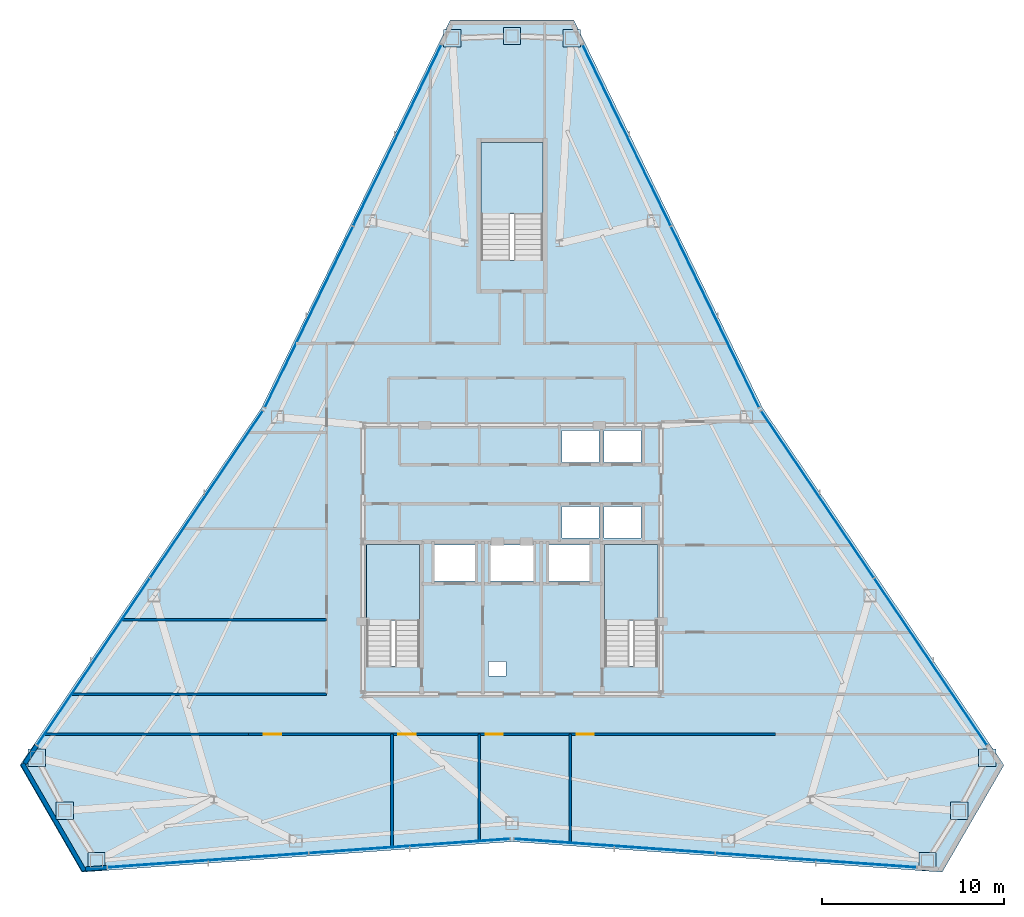
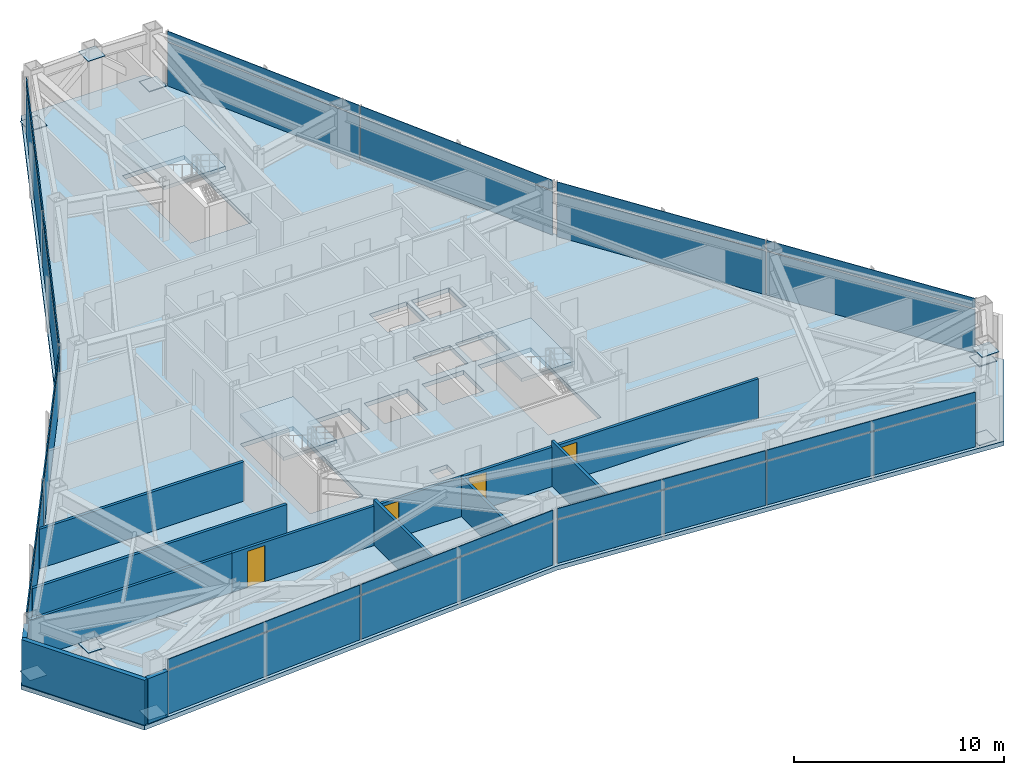
# One storey, part 8 of 12: 33 plates, 10 walls, 4 doors, 4 slabs, 4 openings, 9 elements without a shape of their own.
"""IFC4 building model written with IfcOpenShell, lengths in metres."""

from ifc_helpers import new_model, si_unit, direction, frame, frame_2d, origin, origin_2d, place, context, subcontext, project, spatial, polyline, rectangle, outline, extrude, source, transform, mapped, material, layer, layer_set, type_object, type_shapes, element, fill, aggregate, save


model = new_model("IFC4")

# Units and contexts
model_context = context("Model", 3, precision=1e-05, world=origin(), true_north=direction((0.0, 1.0)))
body_context = subcontext(model_context, "Body", "Model", "MODEL_VIEW")
ifc_project = project(units=[si_unit("LENGTHUNIT", "METRE"), si_unit("AREAUNIT", "SQUARE_METRE"), si_unit("VOLUMEUNIT", "CUBIC_METRE"), si_unit("PLANEANGLEUNIT", "RADIAN"), si_unit("MASSUNIT", "GRAM", prefix="KILO")], contexts=[model_context])

# Site, building, storey
site_placement = place(None, origin())
site = spatial("IfcSite", under=ifc_project, at=site_placement, CompositionType="ELEMENT")
building_placement = place(site_placement, origin())
building = spatial("IfcBuilding", under=site, at=building_placement, Name="Varakhsha Concourse Tower", CompositionType="ELEMENT")
storey_placement = place(building_placement, frame((0.0, 0.0, 204.89990234375)))
storey = spatial("IfcBuildingStorey", under=building, at=storey_placement, Name="L58", CompositionType="ELEMENT", Elevation=204.89990234375)

# Slab
ifc_material_1 = material(Name="Concrete fc 45 MPa", Category="concrete")
ifc_layer_1 = layer(ifc_material_1, 0.25, Name="SL-FLR-250")
ifc_layer_set_1 = layer_set([ifc_layer_1], Name="Concrete fc 45 MPa")
slab_type_1 = type_object("IfcSlabType", Name="SL-FLR-250", PredefinedType="FLOOR", material=ifc_layer_set_1)
slab_1_placement = place(storey_placement, frame((0.0, 0.0, -0.25)))
element("IfcSlab", 1, at=slab_1_placement, inside=storey, type_object=slab_type_1, Name="L58 Composite Structural Slab", PredefinedType="FLOOR", context=body_context, shape_type="SweptSolid", body=[
    extrude(outline(polyline([(43.39990234375, 53.497802734375), (36.60009765625, 53.497802734375), (26.21728515625, 32.157470703125), (12.927490234375, 12.49560546875), (16.327392578125, 6.606689453125), (40.0, 8.28515625), (63.672607421875, 6.606689453125), (67.072509765625, 12.49560546875), (53.78271484375, 32.157470703125), (43.39990234375, 53.497802734375)]), holes=[polyline([(34.919921875, 17.93994140625), (34.919921875, 24.6298828125), (32.0, 24.6298828125), (32.0, 17.93994140625), (34.919921875, 17.93994140625)]), polyline([(48.02001953125, 17.93994140625), (48.02001953125, 24.6298828125), (45.10009765625, 24.6298828125), (45.10009765625, 17.93994140625), (48.02001953125, 17.93994140625)]), polyline([(41.699951171875, 40.300048828125), (41.699951171875, 46.75), (38.300048828125, 46.75), (38.300048828125, 40.300048828125), (41.699951171875, 40.300048828125)]), polyline([(42.739990234375, 29.159912109375), (44.780029296875, 29.159912109375), (44.780029296875, 30.89990234375), (42.739990234375, 30.89990234375), (42.739990234375, 29.159912109375)]), polyline([(45.06005859375, 29.159912109375), (47.10009765625, 29.159912109375), (47.10009765625, 30.89990234375), (45.06005859375, 30.89990234375), (45.06005859375, 29.159912109375)]), polyline([(42.739990234375, 25.0), (44.780029296875, 25.0), (44.780029296875, 26.739990234375), (42.739990234375, 26.739990234375), (42.739990234375, 25.0)]), polyline([(45.06005859375, 25.0), (47.10009765625, 25.0), (47.10009765625, 26.739990234375), (45.06005859375, 26.739990234375), (45.06005859375, 25.0)]), polyline([(35.7099609375, 22.639892578125), (37.989990234375, 22.639892578125), (37.989990234375, 24.60009765625), (35.7099609375, 24.60009765625), (35.7099609375, 22.639892578125)]), polyline([(42.010009765625, 22.639892578125), (44.2900390625, 22.639892578125), (44.2900390625, 24.60009765625), (42.010009765625, 24.60009765625), (42.010009765625, 22.639892578125)]), polyline([(38.81005859375, 22.639892578125), (41.18994140625, 22.639892578125), (41.18994140625, 24.60009765625), (38.81005859375, 24.60009765625), (38.81005859375, 22.639892578125)]), polyline([(38.719970703125, 17.39990234375), (39.679931640625, 17.39990234375), (39.679931640625, 18.199951171875), (38.719970703125, 18.199951171875), (38.719970703125, 17.39990234375)])]), origin(), (0.0, 0.0, 1.0), 0.25),
])

# Stair, slab
stair_type_1 = type_object("IfcStairType", Name="ST-DOGLEG-1360", PredefinedType="HALF_TURN_STAIR", material=ifc_material_1)
stair_1_placement = place(storey_placement, origin())
stair_1 = element("IfcStair", 2, at=stair_1_placement, inside=storey, type_object=stair_type_1, Name="L58 Protected Exit Stair ST1", PredefinedType="HALF_TURN_STAIR")
ifc_layer_2 = layer(ifc_material_1, 0.199951171875, Name="SL-LAND-200")
ifc_layer_set_2 = layer_set([ifc_layer_2], Name="Concrete fc 45 MPa")
slab_type_2 = type_object("IfcSlabType", Name="SL-LAND-200", PredefinedType="LANDING", material=ifc_layer_set_2)
slab_2_placement = place(storey_placement, frame((0.0, 0.0, 1.550048828125)))
slab_2 = element("IfcSlab", 3, at=slab_2_placement, type_object=slab_type_2, Name="ST1 landing 1", PredefinedType="LANDING", context=body_context, shape_type="SweptSolid", body=[
    extrude(outline(polyline([(34.919921875, 20.4599609375), (34.919921875, 24.6298828125), (32.0, 24.6298828125), (32.0, 20.4599609375), (34.919921875, 20.4599609375)])), origin(), (0.0, 0.0, 1.0), 0.199951171875),
])
aggregate(stair_1, [slab_2])

stair_2_placement = place(storey_placement, origin())
stair_2 = element("IfcStair", 4, at=stair_2_placement, inside=storey, type_object=stair_type_1, Name="L58 Protected Exit Stair ST2", PredefinedType="HALF_TURN_STAIR")
slab_3_placement = place(storey_placement, frame((0.0, 0.0, 1.550048828125)))
slab_3 = element("IfcSlab", 5, at=slab_3_placement, type_object=slab_type_2, Name="ST2 landing 1", PredefinedType="LANDING", context=body_context, shape_type="SweptSolid", body=[
    extrude(outline(polyline([(48.02001953125, 20.4599609375), (48.02001953125, 24.6298828125), (45.10009765625, 24.6298828125), (45.10009765625, 20.4599609375), (48.02001953125, 20.4599609375)])), origin(), (0.0, 0.0, 1.0), 0.199951171875),
])
aggregate(stair_2, [slab_3])

stair_type_2 = type_object("IfcStairType", Name="ST-DOGLEG-1600", PredefinedType="HALF_TURN_STAIR", material=ifc_material_1)
stair_3_placement = place(storey_placement, origin())
stair_3 = element("IfcStair", 6, at=stair_3_placement, inside=storey, type_object=stair_type_2, Name="L58 Protected Exit Stair ST5", PredefinedType="HALF_TURN_STAIR")
slab_4_placement = place(storey_placement, frame((0.0, 0.0, 1.550048828125)))
slab_4 = element("IfcSlab", 7, at=slab_4_placement, type_object=slab_type_2, Name="ST5 landing 1", PredefinedType="LANDING", context=body_context, shape_type="SweptSolid", body=[
    extrude(outline(polyline([(41.699951171875, 42.820068359375), (41.699951171875, 46.75), (38.300048828125, 46.75), (38.300048828125, 42.820068359375), (41.699951171875, 42.820068359375)])), origin(), (0.0, 0.0, 1.0), 0.199951171875),
])
aggregate(stair_3, [slab_4])

# Plates
ifc_material_2 = material(Name="Structural Steel ASTM A572 Grade 50", Category="steel")
ifc_layer_3 = layer(ifc_material_2, 0.030029296875, Name="PL-ENDCAP-950")
ifc_layer_set_3 = layer_set([ifc_layer_3], Name="Structural Steel ASTM A572 Grade 50")
plate_type_1 = type_object("IfcPlateType", Name="PL-ENDCAP-950", PredefinedType="USERDEFINED", material=ifc_layer_set_3)
shared_shape_1 = source(origin(), body_context, "Body", "SweptSolid", [
    extrude(rectangle(XDim=0.949951171875, YDim=0.949951171875, at=origin_2d()), origin(), (0.0, 0.0, 1.0), 0.030029296875),
])
type_shapes(plate_type_1, [shared_shape_1])
for number, where, z_axis, x_axis, name in (
    (8, (43.283203125, 52.492431640625, 0.10498046875), (0.0, 0.0, 1.0), (1.0, 0.0, 0.0), "Hollow Section End Cap GP-NODE-L58-0595"),
    (9, (40.0, 52.61767578125, 2.93505859375), (0.0, 0.0, 1.0), (1.0, 0.0, 0.0), "Hollow Section End Cap GP-NODE-L58-0596"),
    (10, (36.716796875, 52.492431640625, 0.10498046875), (0.0, 0.0, 1.0), (1.0, 0.0, 0.0), "Hollow Section End Cap GP-NODE-L58-0597"),
    (11, (13.856201171875, 12.897216796875, 0.10498046875), (0.0, 0.0, 1.0), (1.0, 0.0, 0.0), "Hollow Section End Cap GP-NODE-L58-0598"),
    (12, (15.389404296875, 9.9912109375, 2.93505859375), (0.0, 0.0, 1.0), (1.0, 0.0, 0.0), "Hollow Section End Cap GP-NODE-L58-0599"),
    (13, (17.1396484375, 7.210205078125, 0.10498046875), (0.0, 0.0, 1.0), (1.0, 0.0, 0.0), "Hollow Section End Cap GP-NODE-L58-0600"),
    (14, (62.8603515625, 7.210205078125, 0.10498046875), (0.0, 0.0, 1.0), (1.0, 0.0, 0.0), "Hollow Section End Cap GP-NODE-L58-0601"),
    (15, (64.610595703125, 9.9912109375, 2.93505859375), (0.0, 0.0, 1.0), (1.0, 0.0, 0.0), "Hollow Section End Cap GP-NODE-L58-0602"),
    (16, (66.143798828125, 12.897216796875, 0.10498046875), (0.0, 0.0, 1.0), (1.0, 0.0, 0.0), "Hollow Section End Cap GP-NODE-L58-0603"),
):
    element("IfcPlate", number, at=place(storey_placement, frame(where, z_axis=z_axis, x_axis=x_axis)), inside=storey, type_object=plate_type_1, Name=name, ObjectType="END PLATE", PredefinedType="USERDEFINED", context=body_context, shape_type="MappedRepresentation", body=[
        mapped(shared_shape_1, transform((0.0, 0.0, 0.0), scale=1.0)),
    ])

# Curtain wall, plate
ifc_material_3 = material(Name="Anodised Bronze Architectural Aluminium AA 6063-T6", Category="aluminium")
ifc_layer_4 = layer(ifc_material_3, 0.199951171875, Name="CW-SYS-05")
ifc_layer_set_4 = layer_set([ifc_layer_4], Name="Anodised Bronze Architectural Aluminium AA 6063-T6")
curtain_wall_type = type_object("IfcCurtainWallType", Name="CW-SYS-05", PredefinedType="NOTDEFINED", material=ifc_layer_set_4)
curtain_wall_1_placement = place(storey_placement, origin())
curtain_wall_1 = element("IfcCurtainWall", 17, at=curtain_wall_1_placement, inside=storey, type_object=curtain_wall_type, Name="L58 Crystal Curtain Wall F2", PredefinedType="NOTDEFINED")
ifc_material_4 = material(Name="Low-E Triple Insulating Glass IGU 44 mm", Category="glass")
ifc_layer_5 = layer(ifc_material_4, 0.0439453125, Name="CWP-IGU-44")
ifc_layer_set_5 = layer_set([ifc_layer_5], Name="Low-E Triple Insulating Glass IGU 44 mm")
plate_type_2 = type_object("IfcPlateType", Name="CWP-IGU-44", PredefinedType="CURTAIN_PANEL", material=ifc_layer_set_5)
shared_shape_2 = source(origin(), body_context, "Body", "SweptSolid", [
    extrude(rectangle(XDim=11.046875, YDim=0.0439453125, at=origin_2d()), origin(), (0.0, 0.0, 1.0), 2.535888671875),
])
plate_1_placement = place(storey_placement, frame((28.827880859375, 37.1572265625, 0.0322265625), z_axis=(0.0, 0.0, 1.0), x_axis=(0.437497178592, 0.899219783325, 0.0)))
plate_1 = element("IfcPlate", 18, at=plate_1_placement, type_object=plate_type_2, Name="CW-L58-F2 Panel 00-00", PredefinedType="CURTAIN_PANEL", context=body_context, shape_type="MappedRepresentation", body=[
    mapped(shared_shape_2, transform((0.0, 0.0, 0.0), scale=1.0)),
])

curtain_wall_2_placement = place(storey_placement, origin())
curtain_wall_2 = element("IfcCurtainWall", 19, at=curtain_wall_2_placement, inside=storey, type_object=curtain_wall_type, Name="L58 Crystal Curtain Wall F9", PredefinedType="NOTDEFINED")
plate_2_placement = place(storey_placement, frame((46.30908203125, 47.153076171875, 0.0322265625), z_axis=(0.0, 0.0, 1.0), x_axis=(0.437497178592, -0.899219783325, 0.0)))
plate_2 = element("IfcPlate", 20, at=plate_2_placement, type_object=plate_type_2, Name="CW-L58-F9 Panel 00-00", PredefinedType="CURTAIN_PANEL", context=body_context, shape_type="MappedRepresentation", body=[
    mapped(shared_shape_2, transform((0.0, 0.0, 0.0), scale=1.0)),
])

# Plate
ifc_material_5 = material(Name="Insulated Anodised Bronze Aluminium Spandrel 36 mm", Category="aluminium")
ifc_layer_6 = layer(ifc_material_5, 0.035888671875, Name="CWP-SPN-36")
ifc_layer_set_6 = layer_set([ifc_layer_6], Name="Insulated Anodised Bronze Aluminium Spandrel 36 mm")
plate_type_3 = type_object("IfcPlateType", Name="CWP-SPN-36", PredefinedType="USERDEFINED", material=ifc_layer_set_6)
shared_shape_3 = source(origin(), body_context, "Body", "SweptSolid", [
    extrude(rectangle(XDim=11.046875, YDim=0.035888671875, at=origin_2d()), origin(), (0.0, 0.0, 1.0), 0.5859375),
])
plate_3_placement = place(storey_placement, frame((28.827880859375, 37.1572265625, 2.632080078125), z_axis=(0.0, 0.0, 1.0), x_axis=(0.437497178592, 0.899219783325, 0.0)))
plate_3 = element("IfcPlate", 21, at=plate_3_placement, type_object=plate_type_3, Name="CW-L58-F2 Panel 00-01", ObjectType="SPANDREL", PredefinedType="USERDEFINED", context=body_context, shape_type="MappedRepresentation", body=[
    mapped(shared_shape_3, transform((0.0, 0.0, 0.0), scale=1.0)),
])

plate_4_placement = place(storey_placement, frame((46.30908203125, 47.153076171875, 2.632080078125), z_axis=(0.0, 0.0, 1.0), x_axis=(0.437497178592, -0.899219783325, 0.0)))
plate_4 = element("IfcPlate", 22, at=plate_4_placement, type_object=plate_type_3, Name="CW-L58-F9 Panel 00-01", ObjectType="SPANDREL", PredefinedType="USERDEFINED", context=body_context, shape_type="MappedRepresentation", body=[
    mapped(shared_shape_3, transform((0.0, 0.0, 0.0), scale=1.0)),
])

shared_shape_4 = source(origin(), body_context, "Body", "SweptSolid", [
    extrude(rectangle(XDim=11.047119140625, YDim=0.0439453125, at=origin_2d()), origin(), (0.0, 0.0, 1.0), 2.535888671875),
])
type_shapes(plate_type_2, [shared_shape_2, shared_shape_4])
plate_5_placement = place(storey_placement, frame((33.69091796875, 47.15283203125, 0.0322265625), z_axis=(0.0, 0.0, 1.0), x_axis=(0.437497178592, 0.899219783325, 0.0)))
plate_5 = element("IfcPlate", 23, at=plate_5_placement, type_object=plate_type_2, Name="CW-L58-F2 Panel 01-00", PredefinedType="CURTAIN_PANEL", context=body_context, shape_type="MappedRepresentation", body=[
    mapped(shared_shape_4, transform((0.0, 0.0, 0.0), scale=1.0)),
])

# Curtain wall, plates
curtain_wall_3_placement = place(storey_placement, origin())
curtain_wall_3 = element("IfcCurtainWall", 24, at=curtain_wall_3_placement, inside=storey, type_object=curtain_wall_type, Name="L58 Crystal Curtain Wall F3", PredefinedType="NOTDEFINED")
plate_6_placement = place(storey_placement, frame((16.9677734375, 18.187255859375, 0.0322265625), z_axis=(0.0, 0.0, 1.0), x_axis=(0.559998586649, 0.828493562408, 0.0)))
plate_6 = element("IfcPlate", 25, at=plate_6_placement, type_object=plate_type_2, Name="CW-L58-F3 Panel 00-00", PredefinedType="CURTAIN_PANEL", context=body_context, shape_type="MappedRepresentation", body=[
    mapped(shared_shape_4, transform((0.0, 0.0, 0.0), scale=1.0)),
])
plate_7_placement = place(storey_placement, frame((23.192626953125, 27.396728515625, 0.0322265625), z_axis=(0.0, 0.0, 1.0), x_axis=(0.559998586649, 0.828493562408, 0.0)))
plate_7 = element("IfcPlate", 26, at=plate_7_placement, type_object=plate_type_2, Name="CW-L58-F3 Panel 01-00", PredefinedType="CURTAIN_PANEL", context=body_context, shape_type="MappedRepresentation", body=[
    mapped(shared_shape_4, transform((0.0, 0.0, 0.0), scale=1.0)),
])

curtain_wall_4_placement = place(storey_placement, origin())
curtain_wall_4 = element("IfcCurtainWall", 27, at=curtain_wall_4_placement, inside=storey, type_object=curtain_wall_type, Name="L58 Crystal Curtain Wall F5", PredefinedType="NOTDEFINED")
plate_8_placement = place(storey_placement, frame((34.36474609375, 8.0458984375, 0.0322265625), z_axis=(0.0, 0.0, 1.0), x_axis=(-0.997496012116, -0.070722739, 0.0)))
plate_8 = element("IfcPlate", 28, at=plate_8_placement, type_object=plate_type_2, Name="CW-L58-F5 Panel 00-00", PredefinedType="CURTAIN_PANEL", context=body_context, shape_type="MappedRepresentation", body=[
    mapped(shared_shape_4, transform((0.0, 0.0, 0.0), scale=1.0)),
])
plate_9_placement = place(storey_placement, frame((23.276611328125, 7.259765625, 0.0322265625), z_axis=(0.0, 0.0, 1.0), x_axis=(-0.997496012116, -0.070722739, 0.0)))
plate_9 = element("IfcPlate", 29, at=plate_9_placement, type_object=plate_type_2, Name="CW-L58-F5 Panel 01-00", PredefinedType="CURTAIN_PANEL", context=body_context, shape_type="MappedRepresentation", body=[
    mapped(shared_shape_4, transform((0.0, 0.0, 0.0), scale=1.0)),
])

curtain_wall_5_placement = place(storey_placement, origin())
curtain_wall_5 = element("IfcCurtainWall", 30, at=curtain_wall_5_placement, inside=storey, type_object=curtain_wall_type, Name="L58 Crystal Curtain Wall F6", PredefinedType="NOTDEFINED")
plate_10_placement = place(storey_placement, frame((56.723388671875, 7.259765625, 0.0322265625), z_axis=(0.0, 0.0, 1.0), x_axis=(-0.997496012116, 0.070722739, 0.0)))
plate_10 = element("IfcPlate", 31, at=plate_10_placement, type_object=plate_type_2, Name="CW-L58-F6 Panel 00-00", PredefinedType="CURTAIN_PANEL", context=body_context, shape_type="MappedRepresentation", body=[
    mapped(shared_shape_4, transform((0.0, 0.0, 0.0), scale=1.0)),
])
plate_11_placement = place(storey_placement, frame((45.63525390625, 8.0458984375, 0.0322265625), z_axis=(0.0, 0.0, 1.0), x_axis=(-0.997496012116, 0.070722739, 0.0)))
plate_11 = element("IfcPlate", 32, at=plate_11_placement, type_object=plate_type_2, Name="CW-L58-F6 Panel 01-00", PredefinedType="CURTAIN_PANEL", context=body_context, shape_type="MappedRepresentation", body=[
    mapped(shared_shape_4, transform((0.0, 0.0, 0.0), scale=1.0)),
])

curtain_wall_6_placement = place(storey_placement, origin())
curtain_wall_6 = element("IfcCurtainWall", 33, at=curtain_wall_6_placement, inside=storey, type_object=curtain_wall_type, Name="L58 Crystal Curtain Wall F8", PredefinedType="NOTDEFINED")
plate_12_placement = place(storey_placement, frame((56.807373046875, 27.396728515625, 0.0322265625), z_axis=(0.0, 0.0, 1.0), x_axis=(0.559998586649, -0.828493562408, 0.0)))
plate_12 = element("IfcPlate", 34, at=plate_12_placement, type_object=plate_type_2, Name="CW-L58-F8 Panel 00-00", PredefinedType="CURTAIN_PANEL", context=body_context, shape_type="MappedRepresentation", body=[
    mapped(shared_shape_4, transform((0.0, 0.0, 0.0), scale=1.0)),
])
plate_13_placement = place(storey_placement, frame((63.0322265625, 18.187255859375, 0.0322265625), z_axis=(0.0, 0.0, 1.0), x_axis=(0.559998586649, -0.828493562408, 0.0)))
plate_13 = element("IfcPlate", 35, at=plate_13_placement, type_object=plate_type_2, Name="CW-L58-F8 Panel 01-00", PredefinedType="CURTAIN_PANEL", context=body_context, shape_type="MappedRepresentation", body=[
    mapped(shared_shape_4, transform((0.0, 0.0, 0.0), scale=1.0)),
])

# Plate
plate_14_placement = place(storey_placement, frame((51.172119140625, 37.1572265625, 0.0322265625), z_axis=(0.0, 0.0, 1.0), x_axis=(0.437497178592, -0.899219783325, 0.0)))
plate_14 = element("IfcPlate", 36, at=plate_14_placement, type_object=plate_type_2, Name="CW-L58-F9 Panel 01-00", PredefinedType="CURTAIN_PANEL", context=body_context, shape_type="MappedRepresentation", body=[
    mapped(shared_shape_4, transform((0.0, 0.0, 0.0), scale=1.0)),
])

shared_shape_5 = source(origin(), body_context, "Body", "SweptSolid", [
    extrude(rectangle(XDim=11.047119140625, YDim=0.035888671875, at=origin_2d()), origin(), (0.0, 0.0, 1.0), 0.5859375),
])
type_shapes(plate_type_3, [shared_shape_3, shared_shape_5])
plate_15_placement = place(storey_placement, frame((33.69091796875, 47.15283203125, 2.632080078125), z_axis=(0.0, 0.0, 1.0), x_axis=(0.437497178592, 0.899219783325, 0.0)))
plate_15 = element("IfcPlate", 37, at=plate_15_placement, type_object=plate_type_3, Name="CW-L58-F2 Panel 01-01", ObjectType="SPANDREL", PredefinedType="USERDEFINED", context=body_context, shape_type="MappedRepresentation", body=[
    mapped(shared_shape_5, transform((0.0, 0.0, 0.0), scale=1.0)),
])

aggregate(curtain_wall_1, [plate_1, plate_3, plate_5, plate_15])

plate_16_placement = place(storey_placement, frame((16.9677734375, 18.187255859375, 2.632080078125), z_axis=(0.0, 0.0, 1.0), x_axis=(0.559998586649, 0.828493562408, 0.0)))
plate_16 = element("IfcPlate", 38, at=plate_16_placement, type_object=plate_type_3, Name="CW-L58-F3 Panel 00-01", ObjectType="SPANDREL", PredefinedType="USERDEFINED", context=body_context, shape_type="MappedRepresentation", body=[
    mapped(shared_shape_5, transform((0.0, 0.0, 0.0), scale=1.0)),
])

plate_17_placement = place(storey_placement, frame((23.192626953125, 27.396728515625, 2.632080078125), z_axis=(0.0, 0.0, 1.0), x_axis=(0.559998586649, 0.828493562408, 0.0)))
plate_17 = element("IfcPlate", 39, at=plate_17_placement, type_object=plate_type_3, Name="CW-L58-F3 Panel 01-01", ObjectType="SPANDREL", PredefinedType="USERDEFINED", context=body_context, shape_type="MappedRepresentation", body=[
    mapped(shared_shape_5, transform((0.0, 0.0, 0.0), scale=1.0)),
])

aggregate(curtain_wall_3, [plate_6, plate_16, plate_7, plate_17])

plate_18_placement = place(storey_placement, frame((34.36474609375, 8.0458984375, 2.632080078125), z_axis=(0.0, 0.0, 1.0), x_axis=(-0.997496012116, -0.070722739, 0.0)))
plate_18 = element("IfcPlate", 40, at=plate_18_placement, type_object=plate_type_3, Name="CW-L58-F5 Panel 00-01", ObjectType="SPANDREL", PredefinedType="USERDEFINED", context=body_context, shape_type="MappedRepresentation", body=[
    mapped(shared_shape_5, transform((0.0, 0.0, 0.0), scale=1.0)),
])

plate_19_placement = place(storey_placement, frame((23.276611328125, 7.259765625, 2.632080078125), z_axis=(0.0, 0.0, 1.0), x_axis=(-0.997496012116, -0.070722739, 0.0)))
plate_19 = element("IfcPlate", 41, at=plate_19_placement, type_object=plate_type_3, Name="CW-L58-F5 Panel 01-01", ObjectType="SPANDREL", PredefinedType="USERDEFINED", context=body_context, shape_type="MappedRepresentation", body=[
    mapped(shared_shape_5, transform((0.0, 0.0, 0.0), scale=1.0)),
])

aggregate(curtain_wall_4, [plate_8, plate_18, plate_9, plate_19])

plate_20_placement = place(storey_placement, frame((56.723388671875, 7.259765625, 2.632080078125), z_axis=(0.0, 0.0, 1.0), x_axis=(-0.997496012116, 0.070722739, 0.0)))
plate_20 = element("IfcPlate", 42, at=plate_20_placement, type_object=plate_type_3, Name="CW-L58-F6 Panel 00-01", ObjectType="SPANDREL", PredefinedType="USERDEFINED", context=body_context, shape_type="MappedRepresentation", body=[
    mapped(shared_shape_5, transform((0.0, 0.0, 0.0), scale=1.0)),
])

plate_21_placement = place(storey_placement, frame((45.63525390625, 8.0458984375, 2.632080078125), z_axis=(0.0, 0.0, 1.0), x_axis=(-0.997496012116, 0.070722739, 0.0)))
plate_21 = element("IfcPlate", 43, at=plate_21_placement, type_object=plate_type_3, Name="CW-L58-F6 Panel 01-01", ObjectType="SPANDREL", PredefinedType="USERDEFINED", context=body_context, shape_type="MappedRepresentation", body=[
    mapped(shared_shape_5, transform((0.0, 0.0, 0.0), scale=1.0)),
])

aggregate(curtain_wall_5, [plate_10, plate_20, plate_11, plate_21])

plate_22_placement = place(storey_placement, frame((56.807373046875, 27.396728515625, 2.632080078125), z_axis=(0.0, 0.0, 1.0), x_axis=(0.559998586649, -0.828493562408, 0.0)))
plate_22 = element("IfcPlate", 44, at=plate_22_placement, type_object=plate_type_3, Name="CW-L58-F8 Panel 00-01", ObjectType="SPANDREL", PredefinedType="USERDEFINED", context=body_context, shape_type="MappedRepresentation", body=[
    mapped(shared_shape_5, transform((0.0, 0.0, 0.0), scale=1.0)),
])

plate_23_placement = place(storey_placement, frame((63.0322265625, 18.187255859375, 2.632080078125), z_axis=(0.0, 0.0, 1.0), x_axis=(0.559998586649, -0.828493562408, 0.0)))
plate_23 = element("IfcPlate", 45, at=plate_23_placement, type_object=plate_type_3, Name="CW-L58-F8 Panel 01-01", ObjectType="SPANDREL", PredefinedType="USERDEFINED", context=body_context, shape_type="MappedRepresentation", body=[
    mapped(shared_shape_5, transform((0.0, 0.0, 0.0), scale=1.0)),
])

aggregate(curtain_wall_6, [plate_12, plate_22, plate_13, plate_23])

plate_24_placement = place(storey_placement, frame((51.172119140625, 37.1572265625, 2.632080078125), z_axis=(0.0, 0.0, 1.0), x_axis=(0.437497178592, -0.899219783325, 0.0)))
plate_24 = element("IfcPlate", 46, at=plate_24_placement, type_object=plate_type_3, Name="CW-L58-F9 Panel 01-01", ObjectType="SPANDREL", PredefinedType="USERDEFINED", context=body_context, shape_type="MappedRepresentation", body=[
    mapped(shared_shape_5, transform((0.0, 0.0, 0.0), scale=1.0)),
])

aggregate(curtain_wall_2, [plate_2, plate_4, plate_14, plate_24])

# Walls
ifc_layer_7 = layer(ifc_material_1, 0.239990234375, Name="WL-EXT-CRN-240")
ifc_layer_set_7 = layer_set([ifc_layer_7], Name="Concrete fc 45 MPa")
wall_type_1 = type_object("IfcWallType", Name="WL-EXT-CRN-240", PredefinedType="SHEAR", material=ifc_layer_set_7)
wall_1_placement = place(storey_placement, frame((13.8369140625, 13.5556640625, 0.0), z_axis=(0.0, 0.0, 1.0), x_axis=(-0.559997089768, -0.828494574183, 0.0)))
element("IfcWall", 47, at=wall_1_placement, inside=storey, type_object=wall_type_1, Name="L58 Wind-Corner Shoulder Wall F3", PredefinedType="SHEAR", context=body_context, shape_type="SweptSolid", body=[
    extrude(rectangle(XDim=1.16748046875, YDim=0.239990234375, at=frame_2d((0.583740234375, 0.0))), origin(), (0.0, 0.0, 1.0), 2.623046875),
])
wall_2_placement = place(storey_placement, frame((16.466064453125, 6.6865234375, 0.0), z_axis=(0.0, 0.0, 1.0), x_axis=(-0.500004222222, 0.866022966069, 0.0)))
element("IfcWall", 48, at=wall_2_placement, inside=storey, type_object=wall_type_1, Name="L58 Chamfer Wind-Corner Insulated Wall F4", PredefinedType="SHEAR", context=body_context, shape_type="SweptSolid", body=[
    extrude(rectangle(XDim=6.80029296875, YDim=0.239990234375, at=frame_2d((3.400146484375, 0.0))), origin(), (0.0, 0.0, 1.0), 2.623046875),
])
wall_3_placement = place(storey_placement, frame((16.535400390625, 6.78173828125, 0.0), z_axis=(0.0, 0.0, 1.0), x_axis=(0.997485162718, 0.070875596345, 0.0)))
element("IfcWall", 49, at=wall_3_placement, inside=storey, type_object=wall_type_1, Name="L58 Wind-Corner Shoulder Wall F5", PredefinedType="SHEAR", context=body_context, shape_type="SweptSolid", body=[
    extrude(rectangle(XDim=1.167724609375, YDim=0.239990234375, at=frame_2d((0.583984375, 0.0))), origin(), (0.0, 0.0, 1.0), 2.623046875),
])
ifc_material_6 = material(Name="Fire-Rated Type X Gypsum Partition Assembly", Category="gypsum")
ifc_layer_8 = layer(ifc_material_6, 0.14990234375, Name="WL-PART-150")
ifc_layer_set_8 = layer_set([ifc_layer_8], Name="Fire-Rated Type X Gypsum Partition Assembly")
wall_type_2 = type_object("IfcWallType", Name="WL-PART-150", PredefinedType="PARTITIONING", material=ifc_layer_set_8)
wall_4_placement = place(storey_placement, frame((14.278564453125, 14.199951171875, 0.0), z_axis=(0.0, 0.0, 1.0), x_axis=(1.0, 0.0, 0.0)))
element("IfcWall", 50, at=wall_4_placement, inside=storey, type_object=wall_type_2, Name="L58 Wall CRW-SGAL-SW-L58", PredefinedType="PARTITIONING", context=body_context, shape_type="SweptSolid", body=[
    extrude(rectangle(XDim=11.221435546875, YDim=0.14990234375, at=frame_2d((5.61083984375, 0.0))), origin(), (0.0, 0.0, 1.0), 2.2919921875),
])
wall_5_placement = place(storey_placement, frame((15.765625, 16.39990234375, 0.0), z_axis=(0.0, 0.0, 1.0), x_axis=(1.0, 0.0, 0.0)))
element("IfcWall", 51, at=wall_5_placement, inside=storey, type_object=wall_type_2, Name="L58 Wall CRW-SGAL-NW-L58", PredefinedType="PARTITIONING", context=body_context, shape_type="SweptSolid", body=[
    extrude(rectangle(XDim=14.034423828125, YDim=0.14990234375, at=frame_2d((7.01708984375, 0.0))), origin(), (0.0, 0.0, 1.0), 2.2919921875),
])

# Wall, openings, doors
wall_6_placement = place(storey_placement, frame((25.5, 14.199951171875, 0.0), z_axis=(0.0, 0.0, 1.0), x_axis=(1.0, 0.0, 0.0)))
wall_6 = element("IfcWall", 52, at=wall_6_placement, inside=storey, type_object=wall_type_2, Name="L58 Wall CRW-S-DOOR-L58", PredefinedType="PARTITIONING", context=body_context, shape_type="SweptSolid", body=[
    extrude(rectangle(XDim=29.0, YDim=0.14990234375, at=frame_2d((14.5, 0.0))), origin(), (0.0, 0.0, 1.0), 2.2919921875),
])
opening_1_placement = place(wall_6_placement, frame((0.85009765625, 0.0, 0.0)))
opening_1 = element("IfcOpeningElement", 53, at=opening_1_placement, cuts=wall_6, Name="Opening DF-05", PredefinedType="OPENING", context=body_context, shape_type="SweptSolid", body=[
    extrude(rectangle(XDim=0.949951171875, YDim=2.10009765625, at=frame_2d((0.47509765625, 1.050048828125))), frame((0.0, 0.0849609375, 0.0), z_axis=(0.0, -1.0, 0.0), x_axis=(1.0, 0.0, 0.0)), (0.0, 0.0, 1.0), 0.169921875),
])
opening_2_placement = place(wall_6_placement, frame((8.25, 0.0, 0.0)))
opening_2 = element("IfcOpeningElement", 54, at=opening_2_placement, cuts=wall_6, Name="Opening DF-05", PredefinedType="OPENING", context=body_context, shape_type="SweptSolid", body=[
    extrude(rectangle(XDim=0.949951171875, YDim=2.10009765625, at=frame_2d((0.47509765625, 1.050048828125))), frame((0.0, 0.0849609375, 0.0), z_axis=(0.0, -1.0, 0.0), x_axis=(1.0, 0.0, 0.0)), (0.0, 0.0, 1.0), 0.169921875),
])
opening_3_placement = place(wall_6_placement, frame((13.050048828125, 0.0, 0.0)))
opening_3 = element("IfcOpeningElement", 55, at=opening_3_placement, cuts=wall_6, Name="Opening DF-05", PredefinedType="OPENING", context=body_context, shape_type="SweptSolid", body=[
    extrude(rectangle(XDim=0.949951171875, YDim=2.10009765625, at=frame_2d((0.47509765625, 1.050048828125))), frame((0.0, 0.0849609375, 0.0), z_axis=(0.0, -1.0, 0.0), x_axis=(1.0, 0.0, 0.0)), (0.0, 0.0, 1.0), 0.169921875),
])
opening_4_placement = place(wall_6_placement, frame((18.050048828125, 0.0, 0.0)))
opening_4 = element("IfcOpeningElement", 56, at=opening_4_placement, cuts=wall_6, Name="Opening DF-05", PredefinedType="OPENING", context=body_context, shape_type="SweptSolid", body=[
    extrude(rectangle(XDim=0.949951171875, YDim=2.10009765625, at=frame_2d((0.47509765625, 1.050048828125))), frame((0.0, 0.0849609375, 0.0), z_axis=(0.0, -1.0, 0.0), x_axis=(1.0, 0.0, 0.0)), (0.0, 0.0, 1.0), 0.169921875),
])
ifc_material_7 = material(Name="Hollow Galvanised Steel Fire Door Assembly", Category="steel")
door_type = type_object("IfcDoorType", Name="DR-FD60-950", OperationType="NOTDEFINED", PredefinedType="DOOR", material=ifc_material_7)
door_1_placement = place(opening_1_placement, origin())
door_1 = element("IfcDoor", 57, at=door_1_placement, inside=storey, type_object=door_type, Name="L58 Grand Corner Boardroom L58-S1 Door", OperationType="SINGLE_SWING_LEFT", OverallHeight=2.10009765625, OverallWidth=0.949951171875, PredefinedType="DOOR", context=body_context, shape_type="SweptSolid", body=[
    extrude(rectangle(XDim=0.949951171875, YDim=2.10009765625, at=frame_2d((0.47509765625, 1.050048828125))), frame((0.0, 0.02490234375, 0.0), z_axis=(0.0, -1.0, 0.0), x_axis=(1.0, 0.0, 0.0)), (0.0, 0.0, 1.0), 0.050048828125),
])
fill(opening_1, door_1)
door_2_placement = place(opening_2_placement, origin())
door_2 = element("IfcDoor", 58, at=door_2_placement, inside=storey, type_object=door_type, Name="L58 Executive Director Suite L58-S2 Door", OperationType="SINGLE_SWING_RIGHT", OverallHeight=2.10009765625, OverallWidth=0.949951171875, PredefinedType="DOOR", context=body_context, shape_type="SweptSolid", body=[
    extrude(rectangle(XDim=0.949951171875, YDim=2.10009765625, at=frame_2d((0.47509765625, 1.050048828125))), frame((0.0, 0.02490234375, 0.0), z_axis=(0.0, -1.0, 0.0), x_axis=(1.0, 0.0, 0.0)), (0.0, 0.0, 1.0), 0.050048828125),
])
fill(opening_2, door_2)
door_3_placement = place(opening_3_placement, origin())
door_3 = element("IfcDoor", 59, at=door_3_placement, inside=storey, type_object=door_type, Name="L58 Executive Director Suite L58-S3 Door", OperationType="SINGLE_SWING_LEFT", OverallHeight=2.10009765625, OverallWidth=0.949951171875, PredefinedType="DOOR", context=body_context, shape_type="SweptSolid", body=[
    extrude(rectangle(XDim=0.949951171875, YDim=2.10009765625, at=frame_2d((0.47509765625, 1.050048828125))), frame((0.0, 0.02490234375, 0.0), z_axis=(0.0, -1.0, 0.0), x_axis=(1.0, 0.0, 0.0)), (0.0, 0.0, 1.0), 0.050048828125),
])
fill(opening_3, door_3)
door_4_placement = place(opening_4_placement, origin())
door_4 = element("IfcDoor", 60, at=door_4_placement, inside=storey, type_object=door_type, Name="L58 Executive Director Suite L58-S4 Door", OperationType="SINGLE_SWING_RIGHT", OverallHeight=2.10009765625, OverallWidth=0.949951171875, PredefinedType="DOOR", context=body_context, shape_type="SweptSolid", body=[
    extrude(rectangle(XDim=0.949951171875, YDim=2.10009765625, at=frame_2d((0.47509765625, 1.050048828125))), frame((0.0, 0.02490234375, 0.0), z_axis=(0.0, -1.0, 0.0), x_axis=(1.0, 0.0, 0.0)), (0.0, 0.0, 1.0), 0.050048828125),
])
fill(opening_4, door_4)

# Walls
wall_7_placement = place(storey_placement, frame((33.39990234375, 7.982421875, 0.0), z_axis=(0.0, 0.0, 1.0), x_axis=(0.0, 1.0, 0.0)))
element("IfcWall", 61, at=wall_7_placement, inside=storey, type_object=wall_type_2, Name="L58 Wall ODIV-S1-L58", PredefinedType="PARTITIONING", context=body_context, shape_type="SweptSolid", body=[
    extrude(rectangle(XDim=6.217529296875, YDim=0.14990234375, at=frame_2d((3.10888671875, 0.0))), origin(), (0.0, 0.0, 1.0), 2.628173828125),
])
wall_8_placement = place(storey_placement, frame((38.199951171875, 8.322998046875, 0.0), z_axis=(0.0, 0.0, 1.0), x_axis=(0.0, 1.0, 0.0)))
element("IfcWall", 62, at=wall_8_placement, inside=storey, type_object=wall_type_2, Name="L58 Wall ODIV-S2-L58", PredefinedType="PARTITIONING", context=body_context, shape_type="SweptSolid", body=[
    extrude(rectangle(XDim=5.876953125, YDim=0.14990234375, at=frame_2d((2.9384765625, 0.0))), origin(), (0.0, 0.0, 1.0), 2.2919921875),
])
wall_9_placement = place(storey_placement, frame((43.199951171875, 8.2236328125, 0.0), z_axis=(0.0, 0.0, 1.0), x_axis=(0.0, 1.0, 0.0)))
element("IfcWall", 63, at=wall_9_placement, inside=storey, type_object=wall_type_2, Name="L58 Wall ODIV-S3-L58", PredefinedType="PARTITIONING", context=body_context, shape_type="SweptSolid", body=[
    extrude(rectangle(XDim=5.976318359375, YDim=0.14990234375, at=frame_2d((2.98828125, 0.0))), origin(), (0.0, 0.0, 1.0), 2.628173828125),
])
wall_10_placement = place(storey_placement, frame((18.536865234375, 20.5, 0.0), z_axis=(0.0, 0.0, 1.0), x_axis=(1.0, 0.0, 0.0)))
element("IfcWall", 64, at=wall_10_placement, inside=storey, type_object=wall_type_2, Name="L58 Wall ODIV-W1-L58", PredefinedType="PARTITIONING", context=body_context, shape_type="SweptSolid", body=[
    extrude(rectangle(XDim=11.26318359375, YDim=0.14990234375, at=frame_2d((5.631591796875, 0.0))), origin(), (0.0, 0.0, 1.0), 2.2919921875),
])

save(model, "model.ifc")
